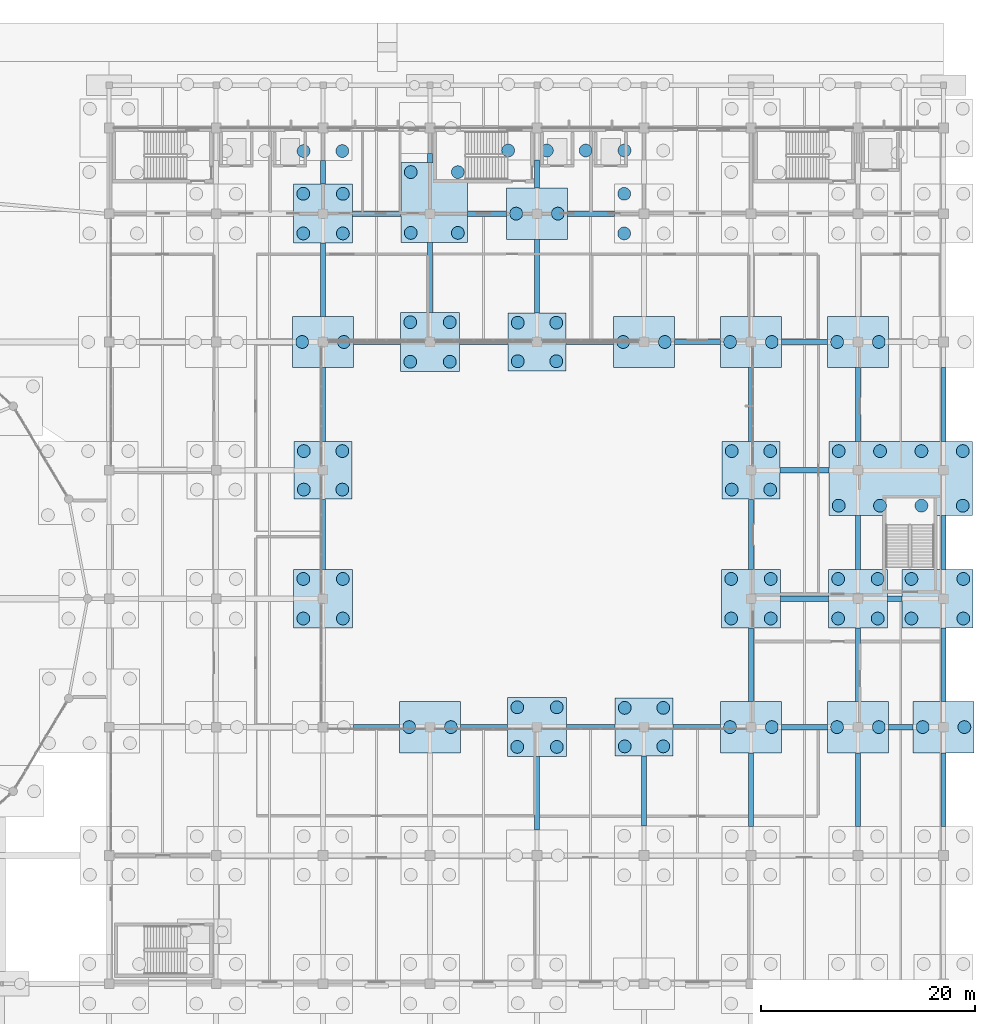
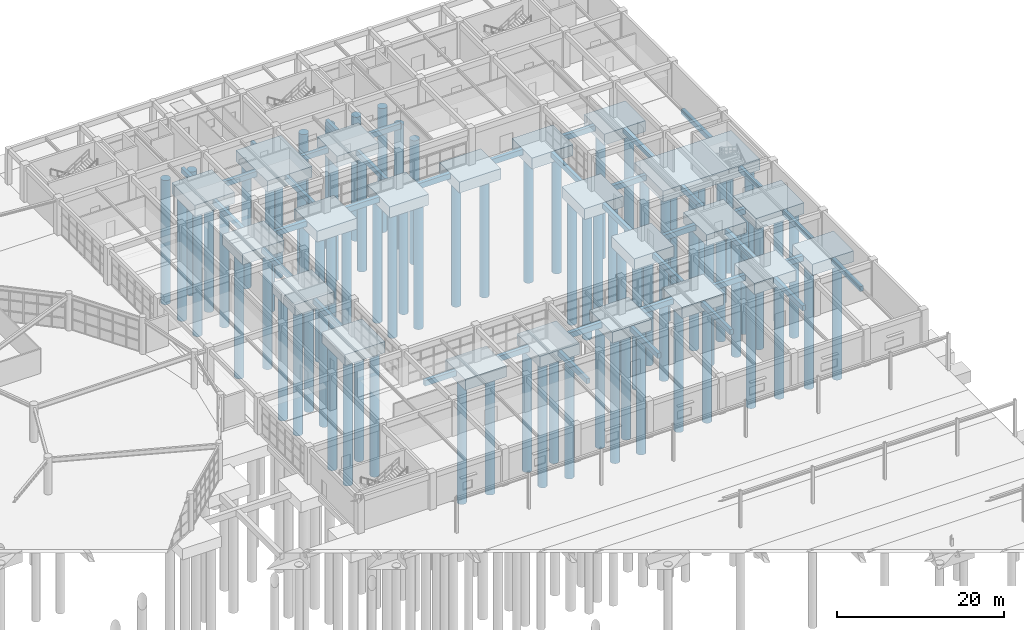
# One storey, part 7 of 99: 82 piles, 61 footings.
"""IFC4 building model written with IfcOpenShell, lengths in metres."""

from ifc_helpers import new_model, si_unit, direction, frame, origin, origin_2d, place, context, subcontext, project, spatial, rectangle, circle, extrude, material, material_profile, profile_set, type_object, element, save


model = new_model("IFC4")

# Units and contexts
model_context = context("Model", 3, precision=1e-05, world=origin(), true_north=direction((0.0, 1.0)))
body_context = subcontext(model_context, "Body", "Model", "MODEL_VIEW")
ifc_project = project(units=[si_unit("LENGTHUNIT", "METRE"), si_unit("AREAUNIT", "SQUARE_METRE"), si_unit("VOLUMEUNIT", "CUBIC_METRE"), si_unit("PLANEANGLEUNIT", "RADIAN"), si_unit("MASSUNIT", "GRAM", prefix="KILO")], contexts=[model_context])

# Site, building, storey
site_placement = place(None, origin())
site = spatial("IfcSite", under=ifc_project, at=site_placement, CompositionType="ELEMENT")
building_placement = place(site_placement, origin())
building = spatial("IfcBuilding", under=site, at=building_placement, Name="Kivolera Central Railway Station", CompositionType="ELEMENT")
storey_placement = place(building_placement, origin())
storey = spatial("IfcBuildingStorey", under=building, at=storey_placement, Name="L00", CompositionType="ELEMENT", Elevation=0.0)

# Footings
ifc_material = material(Name="Concrete C35/45", Category="concrete")
footing_type_1 = type_object("IfcFootingType", Name="FB-450x750", PredefinedType="FOOTING_BEAM", material=ifc_material)
footing_1_placement = place(storey_placement, frame((138.0, 96.02490234375, -1.10009765625), z_axis=(0.0, 0.0, 1.0), x_axis=(1.0, 0.0, 0.0)))
element("IfcFooting", 1, at=footing_1_placement, inside=storey, type_object=footing_type_1, Name="Foundation Tie Beam FDN-FBY-244", PredefinedType="FOOTING_BEAM", context=body_context, shape_type="SweptSolid", body=[
    extrude(rectangle(XDim=0.449951171875, YDim=6.550048828125, at=origin_2d()), origin(), (0.0, 0.0, 1.0), 0.75),
])
footing_2_placement = place(storey_placement, frame((138.0, 108.14990234375, -1.10009765625), z_axis=(0.0, 0.0, 1.0), x_axis=(1.0, 0.0, 0.0)))
element("IfcFooting", 2, at=footing_2_placement, inside=storey, type_object=footing_type_1, Name="Foundation Tie Beam FDN-FBY-245", PredefinedType="FOOTING_BEAM", context=body_context, shape_type="SweptSolid", body=[
    extrude(rectangle(XDim=0.449951171875, YDim=6.89990234375, at=origin_2d()), origin(), (0.0, 0.0, 1.0), 0.75),
])
footing_3_placement = place(storey_placement, frame((138.0, 119.824951171875, -1.10009765625), z_axis=(0.0, 0.0, 1.0), x_axis=(1.0, 0.0, 0.0)))
element("IfcFooting", 3, at=footing_3_placement, inside=storey, type_object=footing_type_1, Name="Foundation Tie Beam FDN-FBY-246", PredefinedType="FOOTING_BEAM", context=body_context, shape_type="SweptSolid", body=[
    extrude(rectangle(XDim=0.449951171875, YDim=6.85009765625, at=origin_2d()), origin(), (0.0, 0.0, 1.0), 0.75),
])
footing_4_placement = place(storey_placement, frame((138.0, 129.85009765625, -1.10009765625), z_axis=(0.0, 0.0, 1.0), x_axis=(1.0, 0.0, 0.0)))
element("IfcFooting", 4, at=footing_4_placement, inside=storey, type_object=footing_type_1, Name="Foundation Tie Beam FDN-FBY-247", PredefinedType="FOOTING_BEAM", context=body_context, shape_type="SweptSolid", body=[
    extrude(rectangle(XDim=0.449951171875, YDim=2.199951171875, at=origin_2d()), origin(), (0.0, 0.0, 1.0), 0.75),
])
footing_5_placement = place(storey_placement, frame((148.0, 120.02490234375, -1.10009765625), z_axis=(0.0, 0.0, 1.0), x_axis=(1.0, 0.0, 0.0)))
element("IfcFooting", 5, at=footing_5_placement, inside=storey, type_object=footing_type_1, Name="Foundation Tie Beam FDN-FBY-254", PredefinedType="FOOTING_BEAM", context=body_context, shape_type="SweptSolid", body=[
    extrude(rectangle(XDim=0.449951171875, YDim=6.550048828125, at=origin_2d()), origin(), (0.0, 0.0, 1.0), 0.75),
])
footing_6_placement = place(storey_placement, frame((148.0, 131.18994140625, -1.10009765625), z_axis=(0.0, 0.0, 1.0), x_axis=(1.0, 0.0, 0.0)))
element("IfcFooting", 6, at=footing_6_placement, inside=storey, type_object=footing_type_1, Name="Foundation Tie Beam FDN-FBY-255", PredefinedType="FOOTING_BEAM", context=body_context, shape_type="SweptSolid", body=[
    extrude(rectangle(XDim=0.449951171875, YDim=0.820068359375, at=origin_2d()), origin(), (0.0, 0.0, 1.0), 0.75),
])
footing_7_placement = place(storey_placement, frame((158.0, 71.824951171875, -1.10009765625), z_axis=(0.0, 0.0, 1.0), x_axis=(1.0, 0.0, 0.0)))
element("IfcFooting", 7, at=footing_7_placement, inside=storey, type_object=footing_type_1, Name="Foundation Tie Beam FDN-FBY-261", PredefinedType="FOOTING_BEAM", context=body_context, shape_type="SweptSolid", body=[
    extrude(rectangle(XDim=0.449951171875, YDim=6.85009765625, at=origin_2d()), origin(), (0.0, 0.0, 1.0), 0.75),
])
footing_8_placement = place(storey_placement, frame((158.0, 120.14990234375, -1.10009765625), z_axis=(0.0, 0.0, 1.0), x_axis=(1.0, 0.0, 0.0)))
element("IfcFooting", 8, at=footing_8_placement, inside=storey, type_object=footing_type_1, Name="Foundation Tie Beam FDN-FBY-262", PredefinedType="FOOTING_BEAM", context=body_context, shape_type="SweptSolid", body=[
    extrude(rectangle(XDim=0.449951171875, YDim=6.89990234375, at=origin_2d()), origin(), (0.0, 0.0, 1.0), 0.75),
])
footing_9_placement = place(storey_placement, frame((158.0, 129.699951171875, -1.10009765625), z_axis=(0.0, 0.0, 1.0), x_axis=(1.0, 0.0, 0.0)))
element("IfcFooting", 9, at=footing_9_placement, inside=storey, type_object=footing_type_1, Name="Foundation Tie Beam FDN-FBY-263", PredefinedType="FOOTING_BEAM", context=body_context, shape_type="SweptSolid", body=[
    extrude(rectangle(XDim=0.449951171875, YDim=2.60009765625, at=origin_2d()), origin(), (0.0, 0.0, 1.0), 0.75),
])
footing_10_placement = place(storey_placement, frame((168.0, 72.02490234375, -1.10009765625), z_axis=(0.0, 0.0, 1.0), x_axis=(1.0, 0.0, 0.0)))
element("IfcFooting", 10, at=footing_10_placement, inside=storey, type_object=footing_type_1, Name="Foundation Tie Beam FDN-FBY-269", PredefinedType="FOOTING_BEAM", context=body_context, shape_type="SweptSolid", body=[
    extrude(rectangle(XDim=0.449951171875, YDim=6.550048828125, at=origin_2d()), origin(), (0.0, 0.0, 1.0), 0.75),
])
footing_11_placement = place(storey_placement, frame((178.0, 72.14990234375, -1.10009765625), z_axis=(0.0, 0.0, 1.0), x_axis=(1.0, 0.0, 0.0)))
element("IfcFooting", 11, at=footing_11_placement, inside=storey, type_object=footing_type_1, Name="Foundation Tie Beam FDN-FBY-277", PredefinedType="FOOTING_BEAM", context=body_context, shape_type="SweptSolid", body=[
    extrude(rectangle(XDim=0.449951171875, YDim=6.89990234375, at=origin_2d()), origin(), (0.0, 0.0, 1.0), 0.75),
])
footing_12_placement = place(storey_placement, frame((178.0, 83.824951171875, -1.10009765625), z_axis=(0.0, 0.0, 1.0), x_axis=(1.0, 0.0, 0.0)))
element("IfcFooting", 12, at=footing_12_placement, inside=storey, type_object=footing_type_1, Name="Foundation Tie Beam FDN-FBY-278", PredefinedType="FOOTING_BEAM", context=body_context, shape_type="SweptSolid", body=[
    extrude(rectangle(XDim=0.449951171875, YDim=6.85009765625, at=origin_2d()), origin(), (0.0, 0.0, 1.0), 0.75),
])
footing_13_placement = place(storey_placement, frame((178.0, 96.02490234375, -1.10009765625), z_axis=(0.0, 0.0, 1.0), x_axis=(1.0, 0.0, 0.0)))
element("IfcFooting", 13, at=footing_13_placement, inside=storey, type_object=footing_type_1, Name="Foundation Tie Beam FDN-FBY-279", PredefinedType="FOOTING_BEAM", context=body_context, shape_type="SweptSolid", body=[
    extrude(rectangle(XDim=0.449951171875, YDim=6.550048828125, at=origin_2d()), origin(), (0.0, 0.0, 1.0), 0.75),
])
for number, where, z_axis, x_axis, name in (
    (14, (178.0, 108.14990234375, -1.10009765625), (0.0, 0.0, 1.0), (1.0, 0.0, 0.0), "Foundation Tie Beam FDN-FBY-280"),
    (15, (188.0, 72.14990234375, -1.10009765625), (0.0, 0.0, 1.0), (1.0, 0.0, 0.0), "Foundation Tie Beam FDN-FBY-287"),
):
    element("IfcFooting", number, at=place(storey_placement, frame(where, z_axis=z_axis, x_axis=x_axis)), inside=storey, type_object=footing_type_1, Name=name, PredefinedType="FOOTING_BEAM", context=body_context, shape_type="SweptSolid", body=[
        extrude(rectangle(XDim=0.449951171875, YDim=6.89990234375, at=origin_2d()), origin(), (0.0, 0.0, 1.0), 0.75),
    ])
footing_14_placement = place(storey_placement, frame((188.0, 83.824951171875, -1.10009765625), z_axis=(0.0, 0.0, 1.0), x_axis=(1.0, 0.0, 0.0)))
element("IfcFooting", 16, at=footing_14_placement, inside=storey, type_object=footing_type_1, Name="Foundation Tie Beam FDN-FBY-288", PredefinedType="FOOTING_BEAM", context=body_context, shape_type="SweptSolid", body=[
    extrude(rectangle(XDim=0.449951171875, YDim=6.85009765625, at=origin_2d()), origin(), (0.0, 0.0, 1.0), 0.75),
])
footing_15_placement = place(storey_placement, frame((188.0, 95.27490234375, -1.10009765625), z_axis=(0.0, 0.0, 1.0), x_axis=(1.0, 0.0, 0.0)))
element("IfcFooting", 17, at=footing_15_placement, inside=storey, type_object=footing_type_1, Name="Foundation Tie Beam FDN-FBY-289", PredefinedType="FOOTING_BEAM", context=body_context, shape_type="SweptSolid", body=[
    extrude(rectangle(XDim=0.449951171875, YDim=5.050048828125, at=origin_2d()), origin(), (0.0, 0.0, 1.0), 0.75),
])
for number, where, z_axis, x_axis, name in (
    (18, (188.0, 108.14990234375, -1.10009765625), (0.0, 0.0, 1.0), (1.0, 0.0, 0.0), "Foundation Tie Beam FDN-FBY-290"),
    (19, (196.0, 72.14990234375, -1.10009765625), (0.0, 0.0, 1.0), (1.0, 0.0, 0.0), "Foundation Tie Beam FDN-FBY-298"),
):
    element("IfcFooting", number, at=place(storey_placement, frame(where, z_axis=z_axis, x_axis=x_axis)), inside=storey, type_object=footing_type_1, Name=name, PredefinedType="FOOTING_BEAM", context=body_context, shape_type="SweptSolid", body=[
        extrude(rectangle(XDim=0.449951171875, YDim=6.89990234375, at=origin_2d()), origin(), (0.0, 0.0, 1.0), 0.75),
    ])
footing_16_placement = place(storey_placement, frame((196.0, 83.824951171875, -1.10009765625), z_axis=(0.0, 0.0, 1.0), x_axis=(1.0, 0.0, 0.0)))
element("IfcFooting", 20, at=footing_16_placement, inside=storey, type_object=footing_type_1, Name="Foundation Tie Beam FDN-FBY-299", PredefinedType="FOOTING_BEAM", context=body_context, shape_type="SweptSolid", body=[
    extrude(rectangle(XDim=0.449951171875, YDim=6.85009765625, at=origin_2d()), origin(), (0.0, 0.0, 1.0), 0.75),
])
footing_17_placement = place(storey_placement, frame((196.0, 95.27490234375, -1.10009765625), z_axis=(0.0, 0.0, 1.0), x_axis=(1.0, 0.0, 0.0)))
element("IfcFooting", 21, at=footing_17_placement, inside=storey, type_object=footing_type_1, Name="Foundation Tie Beam FDN-FBY-300", PredefinedType="FOOTING_BEAM", context=body_context, shape_type="SweptSolid", body=[
    extrude(rectangle(XDim=0.449951171875, YDim=5.050048828125, at=origin_2d()), origin(), (0.0, 0.0, 1.0), 0.75),
])
footing_18_placement = place(storey_placement, frame((196.0, 108.14990234375, -1.10009765625), z_axis=(0.0, 0.0, 1.0), x_axis=(1.0, 0.0, 0.0)))
element("IfcFooting", 22, at=footing_18_placement, inside=storey, type_object=footing_type_1, Name="Foundation Tie Beam FDN-FBY-301", PredefinedType="FOOTING_BEAM", context=body_context, shape_type="SweptSolid", body=[
    extrude(rectangle(XDim=0.449951171875, YDim=6.89990234375, at=origin_2d()), origin(), (0.0, 0.0, 1.0), 0.75),
])
footing_type_2 = type_object("IfcFootingType", Name="FB-500x800", PredefinedType="FOOTING_BEAM", material=ifc_material)
footing_19_placement = place(storey_placement, frame((143.0, 78.0, -1.14990234375), z_axis=(0.0, 0.0, 1.0), x_axis=(1.0, 0.0, 0.0)))
element("IfcFooting", 23, at=footing_19_placement, inside=storey, type_object=footing_type_2, Name="Foundation Tie Beam FDN-FBX-105", PredefinedType="FOOTING_BEAM", context=body_context, shape_type="SweptSolid", body=[
    extrude(rectangle(XDim=4.300048828125, YDim=0.5, at=origin_2d()), origin(), (0.0, 0.0, 1.0), 0.800048828125),
])
footing_20_placement = place(storey_placement, frame((153.050048828125, 78.0, -1.14990234375), z_axis=(0.0, 0.0, 1.0), x_axis=(1.0, 0.0, 0.0)))
element("IfcFooting", 24, at=footing_20_placement, inside=storey, type_object=footing_type_2, Name="Foundation Tie Beam FDN-FBX-106", PredefinedType="FOOTING_BEAM", context=body_context, shape_type="SweptSolid", body=[
    extrude(rectangle(XDim=4.39990234375, YDim=0.5, at=origin_2d()), origin(), (0.0, 0.0, 1.0), 0.800048828125),
])
footing_21_placement = place(storey_placement, frame((163.02490234375, 78.0, -1.14990234375), z_axis=(0.0, 0.0, 1.0), x_axis=(1.0, 0.0, 0.0)))
element("IfcFooting", 25, at=footing_21_placement, inside=storey, type_object=footing_type_2, Name="Foundation Tie Beam FDN-FBX-107", PredefinedType="FOOTING_BEAM", context=body_context, shape_type="SweptSolid", body=[
    extrude(rectangle(XDim=4.550048828125, YDim=0.5, at=origin_2d()), origin(), (0.0, 0.0, 1.0), 0.800048828125),
])
footing_22_placement = place(storey_placement, frame((172.925048828125, 78.0, -1.14990234375), z_axis=(0.0, 0.0, 1.0), x_axis=(1.0, 0.0, 0.0)))
element("IfcFooting", 26, at=footing_22_placement, inside=storey, type_object=footing_type_2, Name="Foundation Tie Beam FDN-FBX-108", PredefinedType="FOOTING_BEAM", context=body_context, shape_type="SweptSolid", body=[
    extrude(rectangle(XDim=4.449951171875, YDim=0.5, at=origin_2d()), origin(), (0.0, 0.0, 1.0), 0.800048828125),
])
footing_23_placement = place(storey_placement, frame((183.0, 78.0, -1.14990234375), z_axis=(0.0, 0.0, 1.0), x_axis=(1.0, 0.0, 0.0)))
element("IfcFooting", 27, at=footing_23_placement, inside=storey, type_object=footing_type_2, Name="Foundation Tie Beam FDN-FBX-109", PredefinedType="FOOTING_BEAM", context=body_context, shape_type="SweptSolid", body=[
    extrude(rectangle(XDim=4.300048828125, YDim=0.5, at=origin_2d()), origin(), (0.0, 0.0, 1.0), 0.800048828125),
])
footing_24_placement = place(storey_placement, frame((192.0, 78.0, -1.14990234375), z_axis=(0.0, 0.0, 1.0), x_axis=(1.0, 0.0, 0.0)))
element("IfcFooting", 28, at=footing_24_placement, inside=storey, type_object=footing_type_2, Name="Foundation Tie Beam FDN-FBX-110", PredefinedType="FOOTING_BEAM", context=body_context, shape_type="SweptSolid", body=[
    extrude(rectangle(XDim=2.300048828125, YDim=0.5, at=origin_2d()), origin(), (0.0, 0.0, 1.0), 0.800048828125),
])
footing_25_placement = place(storey_placement, frame((183.0, 90.0, -1.14990234375), z_axis=(0.0, 0.0, 1.0), x_axis=(1.0, 0.0, 0.0)))
element("IfcFooting", 29, at=footing_25_placement, inside=storey, type_object=footing_type_2, Name="Foundation Tie Beam FDN-FBX-115", PredefinedType="FOOTING_BEAM", context=body_context, shape_type="SweptSolid", body=[
    extrude(rectangle(XDim=4.5, YDim=0.5, at=origin_2d()), origin(), (0.0, 0.0, 1.0), 0.800048828125),
])
footing_26_placement = place(storey_placement, frame((191.425048828125, 90.0, -1.14990234375), z_axis=(0.0, 0.0, 1.0), x_axis=(1.0, 0.0, 0.0)))
element("IfcFooting", 30, at=footing_26_placement, inside=storey, type_object=footing_type_2, Name="Foundation Tie Beam FDN-FBX-116", PredefinedType="FOOTING_BEAM", context=body_context, shape_type="SweptSolid", body=[
    extrude(rectangle(XDim=1.35009765625, YDim=0.5, at=origin_2d()), origin(), (0.0, 0.0, 1.0), 0.800048828125),
])
footing_27_placement = place(storey_placement, frame((183.0, 102.0, -1.14990234375), z_axis=(0.0, 0.0, 1.0), x_axis=(1.0, 0.0, 0.0)))
element("IfcFooting", 31, at=footing_27_placement, inside=storey, type_object=footing_type_2, Name="Foundation Tie Beam FDN-FBX-119", PredefinedType="FOOTING_BEAM", context=body_context, shape_type="SweptSolid", body=[
    extrude(rectangle(XDim=4.60009765625, YDim=0.5, at=origin_2d()), origin(), (0.0, 0.0, 1.0), 0.800048828125),
])
footing_28_placement = place(storey_placement, frame((143.050048828125, 114.0, -1.14990234375), z_axis=(0.0, 0.0, 1.0), x_axis=(1.0, 0.0, 0.0)))
element("IfcFooting", 32, at=footing_28_placement, inside=storey, type_object=footing_type_2, Name="Foundation Tie Beam FDN-FBX-124", PredefinedType="FOOTING_BEAM", context=body_context, shape_type="SweptSolid", body=[
    extrude(rectangle(XDim=4.39990234375, YDim=0.5, at=origin_2d()), origin(), (0.0, 0.0, 1.0), 0.800048828125),
])
footing_29_placement = place(storey_placement, frame((153.02490234375, 114.0, -1.14990234375), z_axis=(0.0, 0.0, 1.0), x_axis=(1.0, 0.0, 0.0)))
element("IfcFooting", 33, at=footing_29_placement, inside=storey, type_object=footing_type_2, Name="Foundation Tie Beam FDN-FBX-125", PredefinedType="FOOTING_BEAM", context=body_context, shape_type="SweptSolid", body=[
    extrude(rectangle(XDim=4.550048828125, YDim=0.5, at=origin_2d()), origin(), (0.0, 0.0, 1.0), 0.800048828125),
])
footing_30_placement = place(storey_placement, frame((162.925048828125, 114.0, -1.14990234375), z_axis=(0.0, 0.0, 1.0), x_axis=(1.0, 0.0, 0.0)))
element("IfcFooting", 34, at=footing_30_placement, inside=storey, type_object=footing_type_2, Name="Foundation Tie Beam FDN-FBX-126", PredefinedType="FOOTING_BEAM", context=body_context, shape_type="SweptSolid", body=[
    extrude(rectangle(XDim=4.449951171875, YDim=0.5, at=origin_2d()), origin(), (0.0, 0.0, 1.0), 0.800048828125),
])
for number, where, z_axis, x_axis, name in (
    (35, (173.0, 114.0, -1.14990234375), (0.0, 0.0, 1.0), (1.0, 0.0, 0.0), "Foundation Tie Beam FDN-FBX-127"),
    (36, (183.0, 114.0, -1.14990234375), (0.0, 0.0, 1.0), (1.0, 0.0, 0.0), "Foundation Tie Beam FDN-FBX-128"),
):
    element("IfcFooting", number, at=place(storey_placement, frame(where, z_axis=z_axis, x_axis=x_axis)), inside=storey, type_object=footing_type_2, Name=name, PredefinedType="FOOTING_BEAM", context=body_context, shape_type="SweptSolid", body=[
        extrude(rectangle(XDim=4.300048828125, YDim=0.5, at=origin_2d()), origin(), (0.0, 0.0, 1.0), 0.800048828125),
    ])
footing_31_placement = place(storey_placement, frame((143.02490234375, 126.0, -1.14990234375), z_axis=(0.0, 0.0, 1.0), x_axis=(1.0, 0.0, 0.0)))
element("IfcFooting", 37, at=footing_31_placement, inside=storey, type_object=footing_type_2, Name="Foundation Tie Beam FDN-FBX-134", PredefinedType="FOOTING_BEAM", context=body_context, shape_type="SweptSolid", body=[
    extrude(rectangle(XDim=4.550048828125, YDim=0.5, at=origin_2d()), origin(), (0.0, 0.0, 1.0), 0.800048828125),
])
footing_32_placement = place(storey_placement, frame((153.324951171875, 126.0, -1.14990234375), z_axis=(0.0, 0.0, 1.0), x_axis=(1.0, 0.0, 0.0)))
element("IfcFooting", 38, at=footing_32_placement, inside=storey, type_object=footing_type_2, Name="Foundation Tie Beam FDN-FBX-135", PredefinedType="FOOTING_BEAM", context=body_context, shape_type="SweptSolid", body=[
    extrude(rectangle(XDim=3.64990234375, YDim=0.5, at=origin_2d()), origin(), (0.0, 0.0, 1.0), 0.800048828125),
])
footing_33_placement = place(storey_placement, frame((163.050048828125, 126.0, -1.14990234375), z_axis=(0.0, 0.0, 1.0), x_axis=(1.0, 0.0, 0.0)))
element("IfcFooting", 39, at=footing_33_placement, inside=storey, type_object=footing_type_2, Name="Foundation Tie Beam FDN-FBX-136", PredefinedType="FOOTING_BEAM", context=body_context, shape_type="SweptSolid", body=[
    extrude(rectangle(XDim=4.39990234375, YDim=0.5, at=origin_2d()), origin(), (0.0, 0.0, 1.0), 0.800048828125),
])
footing_type_3 = type_object("IfcFootingType", Name="PC-13400x6900", PredefinedType="PILE_CAP", material=ifc_material)
footing_34_placement = place(storey_placement, frame((192.0, 101.25, -1.949951171875), z_axis=(0.0, 0.0, 1.0), x_axis=(1.0, 0.0, 0.0)))
element("IfcFooting", 40, at=footing_34_placement, inside=storey, type_object=footing_type_3, Name="Pile Cap FDN-PC-056", PredefinedType="PILE_CAP", context=body_context, shape_type="SweptSolid", body=[
    extrude(rectangle(XDim=13.39990234375, YDim=6.89990234375, at=origin_2d()), origin(), (0.0, 0.0, 1.0), 1.60009765625),
])
footing_type_4 = type_object("IfcFootingType", Name="PC-5400x5400", PredefinedType="PILE_CAP", material=ifc_material)
for number, where, z_axis, x_axis, name in (
    (41, (138.0, 102.0, -1.949951171875), (0.0, 0.0, 1.0), (1.0, 0.0, 0.0), "Pile Cap FDN-PC-022"),
    (42, (158.0, 114.0, -1.949951171875), (0.0, 0.0, 1.0), (1.0, 0.0, 0.0), "Pile Cap FDN-PC-035"),
    (43, (168.0, 78.0, -1.949951171875), (0.0, 0.0, 1.0), (1.0, 0.0, 0.0), "Pile Cap FDN-PC-040"),
    (44, (178.0, 102.0, -1.949951171875), (0.0, 0.0, 1.0), (1.0, 0.0, 0.0), "Pile Cap FDN-PC-047"),
):
    element("IfcFooting", number, at=place(storey_placement, frame(where, z_axis=z_axis, x_axis=x_axis)), inside=storey, type_object=footing_type_4, Name=name, PredefinedType="PILE_CAP", context=body_context, shape_type="SweptSolid", body=[
        extrude(rectangle(XDim=5.39990234375, YDim=5.39990234375, at=origin_2d()), origin(), (0.0, 0.0, 1.0), 1.60009765625),
    ])
footing_type_5 = type_object("IfcFootingType", Name="PC-5500x5500", PredefinedType="PILE_CAP", material=ifc_material)
for number, where, z_axis, x_axis, name in (
    (45, (138.0, 90.0, -1.949951171875), (0.0, 0.0, 1.0), (1.0, 0.0, 0.0), "Pile Cap FDN-PC-021"),
    (46, (138.0, 126.0, -1.949951171875), (0.0, 0.0, 1.0), (1.0, 0.0, 0.0), "Pile Cap FDN-PC-024"),
    (47, (148.0, 114.0, -1.949951171875), (0.0, 0.0, 1.0), (1.0, 0.0, 0.0), "Pile Cap FDN-PC-028"),
    (48, (158.0, 78.0, -1.949951171875), (0.0, 0.0, 1.0), (1.0, 0.0, 0.0), "Pile Cap FDN-PC-034"),
    (49, (178.0, 90.0, -1.949951171875), (0.0, 0.0, 1.0), (1.0, 0.0, 0.0), "Pile Cap FDN-PC-046"),
    (50, (188.0, 90.0, -1.949951171875), (0.0, 0.0, 1.0), (1.0, 0.0, 0.0), "Pile Cap FDN-PC-055"),
):
    element("IfcFooting", number, at=place(storey_placement, frame(where, z_axis=z_axis, x_axis=x_axis)), inside=storey, type_object=footing_type_5, Name=name, PredefinedType="PILE_CAP", context=body_context, shape_type="SweptSolid", body=[
        extrude(rectangle(XDim=5.5, YDim=5.5, at=origin_2d()), origin(), (0.0, 0.0, 1.0), 1.60009765625),
    ])
footing_type_6 = type_object("IfcFootingType", Name="PC-5700x4800", PredefinedType="PILE_CAP", material=ifc_material)
for number, where, z_axis, x_axis, name in (
    (51, (138.0, 114.0, -1.949951171875), (0.0, 0.0, 1.0), (1.0, 0.0, 0.0), "Pile Cap FDN-PC-023"),
    (52, (148.0, 78.0, -1.949951171875), (0.0, 0.0, 1.0), (1.0, 0.0, 0.0), "Pile Cap FDN-PC-027"),
    (53, (158.0, 126.0, -1.949951171875), (0.0, 0.0, 1.0), (1.0, 0.0, 0.0), "Pile Cap FDN-PC-036"),
    (54, (168.0, 114.0, -1.949951171875), (0.0, 0.0, 1.0), (1.0, 0.0, 0.0), "Pile Cap FDN-PC-041"),
    (55, (178.0, 78.0, -1.949951171875), (0.0, 0.0, 1.0), (1.0, 0.0, 0.0), "Pile Cap FDN-PC-045"),
    (56, (178.0, 114.0, -1.949951171875), (0.0, 0.0, 1.0), (1.0, 0.0, 0.0), "Pile Cap FDN-PC-048"),
    (57, (188.0, 78.0, -1.949951171875), (0.0, 0.0, 1.0), (1.0, 0.0, 0.0), "Pile Cap FDN-PC-054"),
    (58, (188.0, 114.0, -1.949951171875), (0.0, 0.0, 1.0), (1.0, 0.0, 0.0), "Pile Cap FDN-PC-057"),
    (59, (196.0, 78.0, -1.949951171875), (0.0, 0.0, 1.0), (1.0, 0.0, 0.0), "Pile Cap FDN-PC-062"),
):
    element("IfcFooting", number, at=place(storey_placement, frame(where, z_axis=z_axis, x_axis=x_axis)), inside=storey, type_object=footing_type_6, Name=name, PredefinedType="PILE_CAP", context=body_context, shape_type="SweptSolid", body=[
        extrude(rectangle(XDim=5.699951171875, YDim=4.800048828125, at=origin_2d()), origin(), (0.0, 0.0, 1.0), 1.60009765625),
    ])
footing_type_7 = type_object("IfcFootingType", Name="PC-6200x7480", PredefinedType="PILE_CAP", material=ifc_material)
footing_35_placement = place(storey_placement, frame((148.39990234375, 127.0400390625, -1.949951171875), z_axis=(0.0, 0.0, 1.0), x_axis=(1.0, 0.0, 0.0)))
element("IfcFooting", 60, at=footing_35_placement, inside=storey, type_object=footing_type_7, Name="Pile Cap FDN-PC-029", PredefinedType="PILE_CAP", context=body_context, shape_type="SweptSolid", body=[
    extrude(rectangle(XDim=6.199951171875, YDim=7.47998046875, at=origin_2d()), origin(), (0.0, 0.0, 1.0), 1.60009765625),
])
footing_type_8 = type_object("IfcFootingType", Name="PC-6650x5500", PredefinedType="PILE_CAP", material=ifc_material)
footing_36_placement = place(storey_placement, frame((195.425048828125, 90.0, -1.949951171875), z_axis=(0.0, 0.0, 1.0), x_axis=(1.0, 0.0, 0.0)))
element("IfcFooting", 61, at=footing_36_placement, inside=storey, type_object=footing_type_8, Name="Pile Cap FDN-PC-063", PredefinedType="PILE_CAP", context=body_context, shape_type="SweptSolid", body=[
    extrude(rectangle(XDim=6.64990234375, YDim=5.5, at=origin_2d()), origin(), (0.0, 0.0, 1.0), 1.60009765625),
])

# Piles
ifc_material_profile = material_profile(ifc_material, circle(Radius=0.60009765625, at=origin_2d()), Name="PILE D1200")
ifc_profile_set = profile_set([ifc_material_profile], Name="Concrete C35/45")
pile_type = type_object("IfcPileType", Name="PILE-1200", PredefinedType="BORED", material=ifc_profile_set)
for number, where, z_axis, x_axis, name in (
    (62, (136.175048828125, 131.85009765625, -1.85009765625), (0.0, 0.0, -1.0), (1.0, 0.0, 0.0), "Bored Pile FDN-PC-017-P07"),
    (63, (139.800048828125, 131.85009765625, -1.85009765625), (0.0, 0.0, -1.0), (1.0, 0.0, 0.0), "Bored Pile FDN-PC-017-P09"),
    (64, (136.14990234375, 88.14990234375, -1.85009765625), (0.0, 0.0, -1.0), (1.0, 0.0, 0.0), "Bored Pile FDN-PC-021-P01"),
    (65, (136.14990234375, 91.85009765625, -1.85009765625), (0.0, 0.0, -1.0), (1.0, 0.0, 0.0), "Bored Pile FDN-PC-021-P02"),
    (66, (139.85009765625, 88.14990234375, -1.85009765625), (0.0, 0.0, -1.0), (1.0, 0.0, 0.0), "Bored Pile FDN-PC-021-P03"),
    (67, (139.85009765625, 91.85009765625, -1.85009765625), (0.0, 0.0, -1.0), (1.0, 0.0, 0.0), "Bored Pile FDN-PC-021-P04"),
    (68, (136.199951171875, 100.199951171875, -1.85009765625), (0.0, 0.0, -1.0), (1.0, 0.0, 0.0), "Bored Pile FDN-PC-022-P01"),
    (69, (136.199951171875, 103.800048828125, -1.85009765625), (0.0, 0.0, -1.0), (1.0, 0.0, 0.0), "Bored Pile FDN-PC-022-P02"),
    (70, (139.800048828125, 100.199951171875, -1.85009765625), (0.0, 0.0, -1.0), (1.0, 0.0, 0.0), "Bored Pile FDN-PC-022-P03"),
    (71, (139.800048828125, 103.800048828125, -1.85009765625), (0.0, 0.0, -1.0), (1.0, 0.0, 0.0), "Bored Pile FDN-PC-022-P04"),
    (72, (136.050048828125, 114.0, -1.85009765625), (0.0, 0.0, -1.0), (1.0, 0.0, 0.0), "Bored Pile FDN-PC-023-P01"),
    (73, (139.949951171875, 114.0, -1.85009765625), (0.0, 0.0, -1.0), (1.0, 0.0, 0.0), "Bored Pile FDN-PC-023-P02"),
    (74, (136.14990234375, 124.14990234375, -1.85009765625), (0.0, 0.0, -1.0), (1.0, 0.0, 0.0), "Bored Pile FDN-PC-024-P01"),
    (75, (136.14990234375, 127.85009765625, -1.85009765625), (0.0, 0.0, -1.0), (1.0, 0.0, 0.0), "Bored Pile FDN-PC-024-P02"),
    (76, (139.85009765625, 124.14990234375, -1.85009765625), (0.0, 0.0, -1.0), (1.0, 0.0, 0.0), "Bored Pile FDN-PC-024-P03"),
    (77, (139.85009765625, 127.85009765625, -1.85009765625), (0.0, 0.0, -1.0), (1.0, 0.0, 0.0), "Bored Pile FDN-PC-024-P04"),
    (78, (146.050048828125, 78.0, -1.85009765625), (0.0, 0.0, -1.0), (1.0, 0.0, 0.0), "Bored Pile FDN-PC-027-P01"),
    (79, (149.949951171875, 78.0, -1.85009765625), (0.0, 0.0, -1.0), (1.0, 0.0, 0.0), "Bored Pile FDN-PC-027-P02"),
    (80, (146.14990234375, 112.14990234375, -1.85009765625), (0.0, 0.0, -1.0), (1.0, 0.0, 0.0), "Bored Pile FDN-PC-028-P01"),
    (81, (146.14990234375, 115.85009765625, -1.85009765625), (0.0, 0.0, -1.0), (1.0, 0.0, 0.0), "Bored Pile FDN-PC-028-P02"),
    (82, (149.85009765625, 112.14990234375, -1.85009765625), (0.0, 0.0, -1.0), (1.0, 0.0, 0.0), "Bored Pile FDN-PC-028-P03"),
    (83, (149.85009765625, 115.85009765625, -1.85009765625), (0.0, 0.0, -1.0), (1.0, 0.0, 0.0), "Bored Pile FDN-PC-028-P04"),
    (84, (146.199951171875, 124.199951171875, -1.85009765625), (0.0, 0.0, -1.0), (1.0, 0.0, 0.0), "Bored Pile FDN-PC-029-P01"),
    (85, (146.199951171875, 129.8798828125, -1.85009765625), (0.0, 0.0, -1.0), (1.0, 0.0, 0.0), "Bored Pile FDN-PC-029-P02"),
    (86, (150.60009765625, 124.199951171875, -1.85009765625), (0.0, 0.0, -1.0), (1.0, 0.0, 0.0), "Bored Pile FDN-PC-029-P03"),
    (87, (150.60009765625, 129.8798828125, -1.85009765625), (0.0, 0.0, -1.0), (1.0, 0.0, 0.0), "Bored Pile FDN-PC-029-P04"),
    (88, (156.14990234375, 76.14990234375, -1.85009765625), (0.0, 0.0, -1.0), (1.0, 0.0, 0.0), "Bored Pile FDN-PC-034-P01"),
    (89, (156.14990234375, 79.85009765625, -1.85009765625), (0.0, 0.0, -1.0), (1.0, 0.0, 0.0), "Bored Pile FDN-PC-034-P02"),
    (90, (159.85009765625, 76.14990234375, -1.85009765625), (0.0, 0.0, -1.0), (1.0, 0.0, 0.0), "Bored Pile FDN-PC-034-P03"),
    (91, (159.85009765625, 79.85009765625, -1.85009765625), (0.0, 0.0, -1.0), (1.0, 0.0, 0.0), "Bored Pile FDN-PC-034-P04"),
    (92, (156.199951171875, 112.199951171875, -1.85009765625), (0.0, 0.0, -1.0), (1.0, 0.0, 0.0), "Bored Pile FDN-PC-035-P01"),
    (93, (156.199951171875, 115.800048828125, -1.85009765625), (0.0, 0.0, -1.0), (1.0, 0.0, 0.0), "Bored Pile FDN-PC-035-P02"),
    (94, (159.800048828125, 112.199951171875, -1.85009765625), (0.0, 0.0, -1.0), (1.0, 0.0, 0.0), "Bored Pile FDN-PC-035-P03"),
    (95, (159.800048828125, 115.800048828125, -1.85009765625), (0.0, 0.0, -1.0), (1.0, 0.0, 0.0), "Bored Pile FDN-PC-035-P04"),
    (96, (156.050048828125, 126.0, -1.85009765625), (0.0, 0.0, -1.0), (1.0, 0.0, 0.0), "Bored Pile FDN-PC-036-P01"),
    (97, (159.949951171875, 126.0, -1.85009765625), (0.0, 0.0, -1.0), (1.0, 0.0, 0.0), "Bored Pile FDN-PC-036-P02"),
    (98, (155.300048828125, 131.89990234375, -1.85009765625), (0.0, 0.0, -1.0), (1.0, 0.0, 0.0), "Bored Pile FDN-PC-037-P01"),
    (99, (158.925048828125, 131.89990234375, -1.85009765625), (0.0, 0.0, -1.0), (1.0, 0.0, 0.0), "Bored Pile FDN-PC-037-P03"),
    (100, (162.550048828125, 131.89990234375, -1.85009765625), (0.0, 0.0, -1.0), (1.0, 0.0, 0.0), "Bored Pile FDN-PC-037-P05"),
    (101, (166.175048828125, 131.89990234375, -1.85009765625), (0.0, 0.0, -1.0), (1.0, 0.0, 0.0), "Bored Pile FDN-PC-037-P07"),
    (102, (166.199951171875, 76.199951171875, -1.85009765625), (0.0, 0.0, -1.0), (1.0, 0.0, 0.0), "Bored Pile FDN-PC-040-P01"),
    (103, (166.199951171875, 79.800048828125, -1.85009765625), (0.0, 0.0, -1.0), (1.0, 0.0, 0.0), "Bored Pile FDN-PC-040-P02"),
    (104, (169.800048828125, 76.199951171875, -1.85009765625), (0.0, 0.0, -1.0), (1.0, 0.0, 0.0), "Bored Pile FDN-PC-040-P03"),
    (105, (169.800048828125, 79.800048828125, -1.85009765625), (0.0, 0.0, -1.0), (1.0, 0.0, 0.0), "Bored Pile FDN-PC-040-P04"),
    (106, (166.050048828125, 114.0, -1.85009765625), (0.0, 0.0, -1.0), (1.0, 0.0, 0.0), "Bored Pile FDN-PC-041-P01"),
    (107, (169.949951171875, 114.0, -1.85009765625), (0.0, 0.0, -1.0), (1.0, 0.0, 0.0), "Bored Pile FDN-PC-041-P02"),
    (108, (166.14990234375, 124.14990234375, -1.85009765625), (0.0, 0.0, -1.0), (1.0, 0.0, 0.0), "Bored Pile FDN-PC-042-P01"),
    (109, (166.14990234375, 127.85009765625, -1.85009765625), (0.0, 0.0, -1.0), (1.0, 0.0, 0.0), "Bored Pile FDN-PC-042-P02"),
    (110, (176.050048828125, 78.0, -1.85009765625), (0.0, 0.0, -1.0), (1.0, 0.0, 0.0), "Bored Pile FDN-PC-045-P01"),
    (111, (179.949951171875, 78.0, -1.85009765625), (0.0, 0.0, -1.0), (1.0, 0.0, 0.0), "Bored Pile FDN-PC-045-P02"),
    (112, (176.14990234375, 88.14990234375, -1.85009765625), (0.0, 0.0, -1.0), (1.0, 0.0, 0.0), "Bored Pile FDN-PC-046-P01"),
    (113, (176.14990234375, 91.85009765625, -1.85009765625), (0.0, 0.0, -1.0), (1.0, 0.0, 0.0), "Bored Pile FDN-PC-046-P02"),
    (114, (179.85009765625, 88.14990234375, -1.85009765625), (0.0, 0.0, -1.0), (1.0, 0.0, 0.0), "Bored Pile FDN-PC-046-P03"),
    (115, (179.85009765625, 91.85009765625, -1.85009765625), (0.0, 0.0, -1.0), (1.0, 0.0, 0.0), "Bored Pile FDN-PC-046-P04"),
    (116, (176.199951171875, 100.199951171875, -1.85009765625), (0.0, 0.0, -1.0), (1.0, 0.0, 0.0), "Bored Pile FDN-PC-047-P01"),
    (117, (176.199951171875, 103.800048828125, -1.85009765625), (0.0, 0.0, -1.0), (1.0, 0.0, 0.0), "Bored Pile FDN-PC-047-P02"),
    (118, (179.800048828125, 100.199951171875, -1.85009765625), (0.0, 0.0, -1.0), (1.0, 0.0, 0.0), "Bored Pile FDN-PC-047-P03"),
    (119, (179.800048828125, 103.800048828125, -1.85009765625), (0.0, 0.0, -1.0), (1.0, 0.0, 0.0), "Bored Pile FDN-PC-047-P04"),
    (120, (176.050048828125, 114.0, -1.85009765625), (0.0, 0.0, -1.0), (1.0, 0.0, 0.0), "Bored Pile FDN-PC-048-P01"),
    (121, (179.949951171875, 114.0, -1.85009765625), (0.0, 0.0, -1.0), (1.0, 0.0, 0.0), "Bored Pile FDN-PC-048-P02"),
    (122, (186.050048828125, 78.0, -1.85009765625), (0.0, 0.0, -1.0), (1.0, 0.0, 0.0), "Bored Pile FDN-PC-054-P01"),
    (123, (189.949951171875, 78.0, -1.85009765625), (0.0, 0.0, -1.0), (1.0, 0.0, 0.0), "Bored Pile FDN-PC-054-P02"),
    (124, (186.14990234375, 88.14990234375, -1.85009765625), (0.0, 0.0, -1.0), (1.0, 0.0, 0.0), "Bored Pile FDN-PC-055-P01"),
    (125, (186.14990234375, 91.85009765625, -1.85009765625), (0.0, 0.0, -1.0), (1.0, 0.0, 0.0), "Bored Pile FDN-PC-055-P02"),
    (126, (189.85009765625, 88.14990234375, -1.85009765625), (0.0, 0.0, -1.0), (1.0, 0.0, 0.0), "Bored Pile FDN-PC-055-P03"),
    (127, (189.85009765625, 91.85009765625, -1.85009765625), (0.0, 0.0, -1.0), (1.0, 0.0, 0.0), "Bored Pile FDN-PC-055-P04"),
    (128, (186.199951171875, 98.699951171875, -1.85009765625), (0.0, 0.0, -1.0), (1.0, 0.0, 0.0), "Bored Pile FDN-PC-056-P01"),
    (129, (186.199951171875, 103.800048828125, -1.85009765625), (0.0, 0.0, -1.0), (1.0, 0.0, 0.0), "Bored Pile FDN-PC-056-P02"),
    (130, (190.06689453125, 98.699951171875, -1.85009765625), (0.0, 0.0, -1.0), (1.0, 0.0, 0.0), "Bored Pile FDN-PC-056-P03"),
    (131, (190.06689453125, 103.800048828125, -1.85009765625), (0.0, 0.0, -1.0), (1.0, 0.0, 0.0), "Bored Pile FDN-PC-056-P04"),
    (132, (193.93310546875, 98.699951171875, -1.85009765625), (0.0, 0.0, -1.0), (1.0, 0.0, 0.0), "Bored Pile FDN-PC-056-P05"),
    (133, (193.93310546875, 103.800048828125, -1.85009765625), (0.0, 0.0, -1.0), (1.0, 0.0, 0.0), "Bored Pile FDN-PC-056-P06"),
    (134, (197.800048828125, 98.699951171875, -1.85009765625), (0.0, 0.0, -1.0), (1.0, 0.0, 0.0), "Bored Pile FDN-PC-056-P07"),
    (135, (197.800048828125, 103.800048828125, -1.85009765625), (0.0, 0.0, -1.0), (1.0, 0.0, 0.0), "Bored Pile FDN-PC-056-P08"),
    (136, (186.050048828125, 114.0, -1.85009765625), (0.0, 0.0, -1.0), (1.0, 0.0, 0.0), "Bored Pile FDN-PC-057-P01"),
    (137, (189.949951171875, 114.0, -1.85009765625), (0.0, 0.0, -1.0), (1.0, 0.0, 0.0), "Bored Pile FDN-PC-057-P02"),
    (138, (194.050048828125, 78.0, -1.85009765625), (0.0, 0.0, -1.0), (1.0, 0.0, 0.0), "Bored Pile FDN-PC-062-P01"),
    (139, (197.949951171875, 78.0, -1.85009765625), (0.0, 0.0, -1.0), (1.0, 0.0, 0.0), "Bored Pile FDN-PC-062-P02"),
    (140, (193.0, 88.14990234375, -1.85009765625), (0.0, 0.0, -1.0), (1.0, 0.0, 0.0), "Bored Pile FDN-PC-063-P01"),
    (141, (193.0, 91.85009765625, -1.85009765625), (0.0, 0.0, -1.0), (1.0, 0.0, 0.0), "Bored Pile FDN-PC-063-P02"),
    (142, (197.85009765625, 88.14990234375, -1.85009765625), (0.0, 0.0, -1.0), (1.0, 0.0, 0.0), "Bored Pile FDN-PC-063-P03"),
    (143, (197.85009765625, 91.85009765625, -1.85009765625), (0.0, 0.0, -1.0), (1.0, 0.0, 0.0), "Bored Pile FDN-PC-063-P04"),
):
    element("IfcPile", number, at=place(storey_placement, frame(where, z_axis=z_axis, x_axis=x_axis)), inside=storey, type_object=pile_type, Name=name, PredefinedType="BORED", context=body_context, shape_type="SweptSolid", body=[
        extrude(circle(Radius=0.60009765625, at=origin_2d()), origin(), (0.0, 0.0, 1.0), 18.14990234375),
    ])

save(model, "model.ifc")
